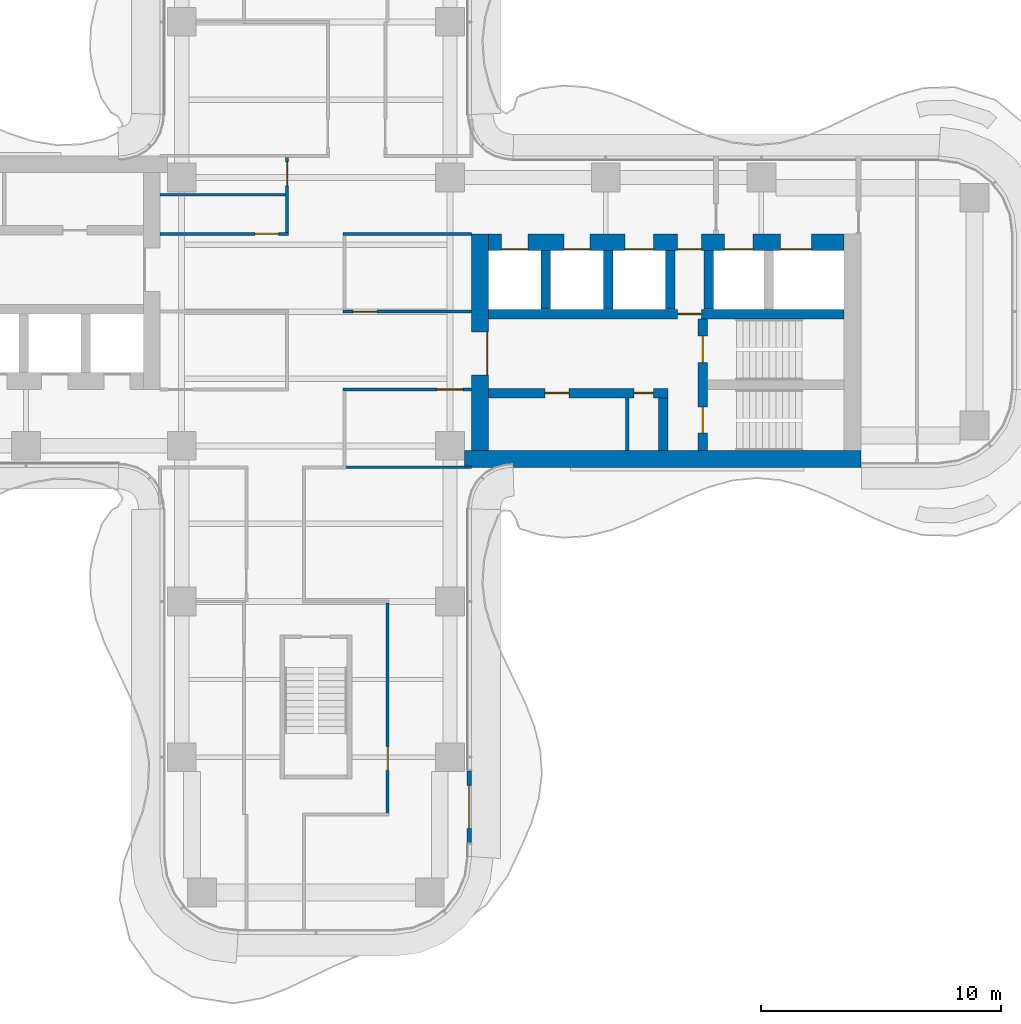
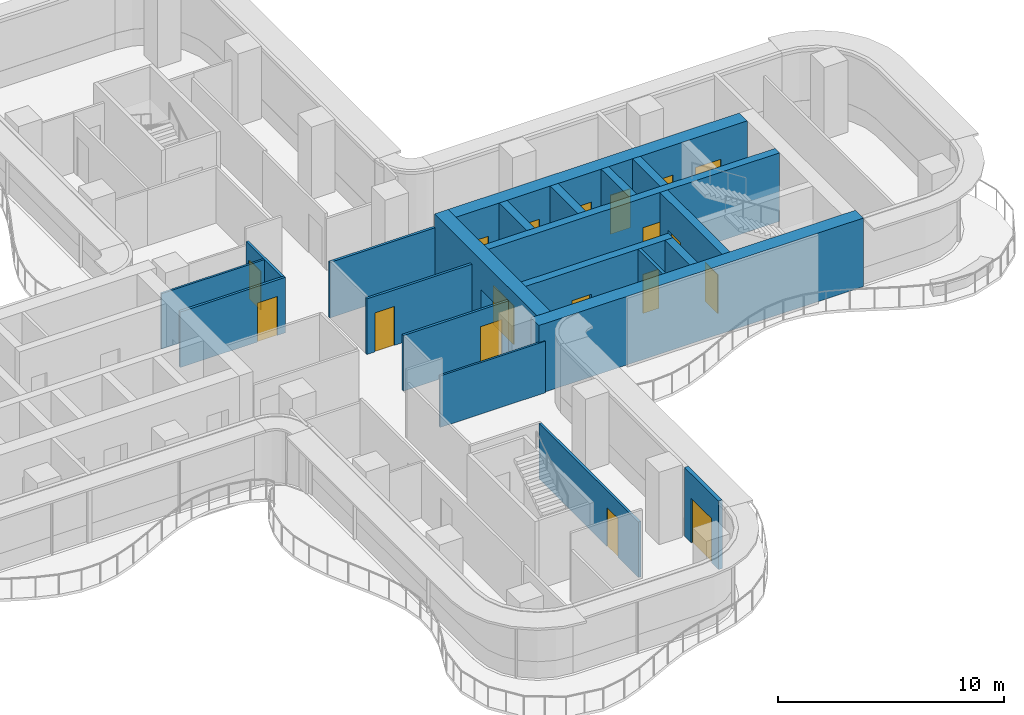
# One storey, part 14 of 18: 21 walls, 18 doors, 18 openings.
"""IFC4 building model written with IfcOpenShell, lengths in metres."""

import ifcopenshell
import ifcopenshell.guid

model = None  # the IFC model being written
_history = None  # IfcOwnerHistory: only IFC2X3 demands one
_inside = {}  # id of a spatial element -> (the spatial element, [elements in it])
_under = {}  # id of a project, library or spatial element -> (it, [spatial elements below it])
_declared = {}  # id of a project -> (the project, [libraries it declares])
_typed = {}  # id of a type object -> (the type object, [elements of that type])
_made_of = {}  # id of a material, layer set ... -> (it, [elements and type objects made of it])


def new_model(schema):
    """Start an empty IFC model of exactly this schema.

    Asked for "IFC4X3", IfcOpenShell would pick the latest addendum, in which some entities
    have other attributes; the version numbers below select the first issue.
    IFC2X3 requires an IfcOwnerHistory on every rooted entity: one is made here for all.
    """
    global model, _history
    if schema == "IFC4X3":
        model = ifcopenshell.file(schema_version=(4, 3, 0, 0))
    else:
        model = ifcopenshell.file(schema=schema)
    _inside.clear()
    _under.clear()
    _declared.clear()
    _typed.clear()
    _made_of.clear()
    _history = None
    if model.schema == "IFC2X3":
        org = make("IfcOrganization", Name="unknown")
        user = make(
            "IfcPersonAndOrganization",
            ThePerson=make("IfcPerson", FamilyName="unknown"),
            TheOrganization=org,
        )
        app = make(
            "IfcApplication",
            ApplicationDeveloper=org,
            Version="unknown",
            ApplicationFullName="unknown",
            ApplicationIdentifier="unknown",
        )
        _history = make(
            "IfcOwnerHistory",
            OwningUser=user,
            OwningApplication=app,
            ChangeAction="ADDED",
            CreationDate=0,
        )
    return model


def make(cls, **values):
    """One entity of the class cls with the attributes given. An attribute that is None is left unset."""
    return model.create_entity(
        cls, **{name: value for name, value in values.items() if value is not None}
    )


def rooted(cls, **values):
    """An entity with a GlobalId (a new one), such as an element, a storey or a relation."""
    return make(cls, GlobalId=ifcopenshell.guid.new(), OwnerHistory=_history, **values)


def si_unit(unit_type, name, prefix=None):
    """IfcSIUnit, for example si_unit("LENGTHUNIT", "METRE", prefix="MILLI")."""
    return make("IfcSIUnit", UnitType=unit_type, Prefix=prefix, Name=name)


def assignment(units):
    """IfcUnitAssignment: the units of a project."""
    return None if units is None else make("IfcUnitAssignment", Units=units)


def point(xyz):
    """IfcCartesianPoint."""
    return None if xyz is None else make("IfcCartesianPoint", Coordinates=xyz)


def direction(xyz):
    """IfcDirection."""
    return None if xyz is None else make("IfcDirection", DirectionRatios=xyz)


def frame(location, z_axis=None, x_axis=None):
    """IfcAxis2Placement3D, a coordinate frame: its origin and axes. An axis left out is left unset."""
    return make(
        "IfcAxis2Placement3D",
        Location=point(location),
        Axis=direction(z_axis),
        RefDirection=direction(x_axis),
    )


def frame_2d(location, x_axis=None):
    """IfcAxis2Placement2D, a coordinate frame in the plane: its origin and x axis."""
    return make(
        "IfcAxis2Placement2D", Location=point(location), RefDirection=direction(x_axis)
    )


def origin():
    """The frame at (0, 0, 0) with its axes left unset."""
    return frame((0.0, 0.0, 0.0))


def place(relative_to, where):
    """IfcLocalPlacement: puts the frame where relative to a parent placement (None: the world)."""
    return make(
        "IfcLocalPlacement", PlacementRelTo=relative_to, RelativePlacement=where
    )


def context(
    kind, dimensions, precision=None, world=None, true_north=None, identifier=None
):
    """IfcGeometricRepresentationContext, for example the 3D "Model" context."""
    return make(
        "IfcGeometricRepresentationContext",
        ContextIdentifier=identifier,
        ContextType=kind,
        CoordinateSpaceDimension=dimensions,
        Precision=precision,
        WorldCoordinateSystem=world,
        TrueNorth=true_north,
    )


def subcontext(parent, identifier, kind, view, scale=None):
    """IfcGeometricRepresentationSubContext, for example "Body" below "Model"."""
    return make(
        "IfcGeometricRepresentationSubContext",
        ContextIdentifier=identifier,
        ContextType=kind,
        ParentContext=parent,
        TargetScale=scale,
        TargetView=view,
    )


def project(units=None, contexts=None):
    """IfcProject with its units and contexts."""
    return rooted(
        "IfcProject",
        Name="project",
        RepresentationContexts=contexts,
        UnitsInContext=assignment(units),
    )


def spatial(cls, under=None, at=None, **own):
    """A site, building, storey or space (cls), placed at a placement, below another one or the project."""
    s = rooted(cls, ObjectPlacement=at, **own)
    if under is not None:
        _under.setdefault(under.id(), (under, []))[1].append(s)
    return s


def profile(cls, at=None, kind="AREA", **sizes):
    """A parametric profile (cls). Its sizes go by their IFC names, for example OverallWidth=200.0."""
    return make(cls, ProfileType=kind, Position=at, **sizes)


def rectangle(**sizes):
    """IfcRectangleProfileDef."""
    return profile("IfcRectangleProfileDef", **sizes)


def extrude(swept, where, along, depth):
    """IfcExtrudedAreaSolid: the profile swept, set in the frame where, extruded along a direction by depth."""
    return make(
        "IfcExtrudedAreaSolid",
        SweptArea=swept,
        Position=where,
        ExtrudedDirection=direction(along),
        Depth=depth,
    )


def shape(context_of_items, identifier, shape_type, items):
    """IfcShapeRepresentation: the items that make up one representation, for example the "Body"."""
    return make(
        "IfcShapeRepresentation",
        ContextOfItems=context_of_items,
        RepresentationIdentifier=identifier,
        RepresentationType=shape_type,
        Items=items,
    )


def source(mapping_origin, context_of_items, identifier, shape_type, items):
    """IfcRepresentationMap: a shape defined once, which mapped items show again and again."""
    return make(
        "IfcRepresentationMap",
        MappingOrigin=mapping_origin,
        MappedRepresentation=shape(context_of_items, identifier, shape_type, items),
    )


def transform(
    local_origin,
    x_axis=None,
    y_axis=None,
    z_axis=None,
    scale=None,
    scale2=None,
    scale3=None,
    uniform=True,
):
    """IfcCartesianTransformationOperator3D, or its non-uniform kind. x_axis, y_axis, z_axis: its Axis1, 2, 3."""
    if uniform:
        return make(
            "IfcCartesianTransformationOperator3D",
            Axis1=direction(x_axis),
            Axis2=direction(y_axis),
            LocalOrigin=point(local_origin),
            Scale=scale,
            Axis3=direction(z_axis),
        )
    return make(
        "IfcCartesianTransformationOperator3DnonUniform",
        Axis1=direction(x_axis),
        Axis2=direction(y_axis),
        LocalOrigin=point(local_origin),
        Scale=scale,
        Axis3=direction(z_axis),
        Scale2=scale2,
        Scale3=scale3,
    )


def mapped(mapping_source, mapping_target):
    """IfcMappedItem: shows the shape of a source again, moved by a transform."""
    return make(
        "IfcMappedItem", MappingSource=mapping_source, MappingTarget=mapping_target
    )


def material(Name=None, Category=None):
    """IfcMaterial."""
    return make("IfcMaterial", Name=Name, Category=Category)


def layer(
    of_material, thickness, ventilated=None, Name=None, Category=None, Priority=None
):
    """IfcMaterialLayer: one layer of a wall or slab, of a material (None: an air gap)."""
    return make(
        "IfcMaterialLayer",
        Material=of_material,
        LayerThickness=thickness,
        IsVentilated=ventilated,
        Name=Name,
        Category=Category,
        Priority=Priority,
    )


def layer_set(layers, Name=None):
    """IfcMaterialLayerSet."""
    return make("IfcMaterialLayerSet", MaterialLayers=layers, LayerSetName=Name)


def made_of(thing, what):
    """Note that an element or type object is made of a material, layer set ...; save() writes the relation."""
    if what is not None:
        _made_of.setdefault(what.id(), (what, []))[1].append(thing)
    return thing


def type_object(cls, material=None, **own):
    """A type object (cls), such as IfcWallType, which elements share."""
    return made_of(rooted(cls, **own), material)


def element(
    cls,
    number,
    at=None,
    inside=None,
    cuts=None,
    type_object=None,
    material=None,
    context=None,
    identifier="Body",
    shape_type=None,
    held_by="IfcProductDefinitionShape",
    body=None,
    shapes=None,
    **own,
):
    """One element of the class cls, such as IfcWall. Its Tag is "e" and its number.

    at: its placement. inside: the storey or other place that contains it. cuts: it is an
    opening in that element (IfcRelVoidsElement). A single representation is given by context,
    identifier, shape_type and body (its items); several are given by shapes. held_by: the class
    of the entity that holds the representations. save() writes the other relations.
    """
    e = rooted(cls, Tag="e%d" % number, ObjectPlacement=at, **own)
    if body is not None:
        shapes = [shape(context, identifier, shape_type, body)]
    if shapes is not None:
        e.Representation = make(held_by, Representations=shapes)
    if inside is not None:
        _inside.setdefault(inside.id(), (inside, []))[1].append(e)
    if cuts is not None:
        rooted(
            "IfcRelVoidsElement", RelatingBuildingElement=cuts, RelatedOpeningElement=e
        )
    if type_object is not None:
        _typed.setdefault(type_object.id(), (type_object, []))[1].append(e)
    return made_of(e, material)


def fill(opening, filler):
    """IfcRelFillsElement: the door or window that sits in an opening."""
    return rooted(
        "IfcRelFillsElement",
        RelatingOpeningElement=opening,
        RelatedBuildingElement=filler,
    )


def aggregate(whole, parts):
    """IfcRelAggregates: a whole, such as a stair, and the parts it consists of."""
    return rooted("IfcRelAggregates", RelatingObject=whole, RelatedObjects=parts)


def save(model, path):
    """Write the relations noted so far, then the file.

    IfcRelAggregates (storeys below a building ...), IfcRelContainedInSpatialStructure (elements
    in a storey), IfcRelDefinesByType, IfcRelAssociatesMaterial and IfcRelDeclares: one each for
    every whole, place, type object, material and project.
    """
    for whole, parts in _under.values():
        aggregate(whole, parts)
    for where, things in _inside.values():
        rooted(
            "IfcRelContainedInSpatialStructure",
            RelatedElements=things,
            RelatingStructure=where,
        )
    for kind, things in _typed.values():
        rooted("IfcRelDefinesByType", RelatedObjects=things, RelatingType=kind)
    for what, things in _made_of.values():
        rooted("IfcRelAssociatesMaterial", RelatedObjects=things, RelatingMaterial=what)
    for by, libraries in _declared.values():
        rooted("IfcRelDeclares", RelatingContext=by, RelatedDefinitions=libraries)
    model.write(path)


model = new_model("IFC4")

# Units and contexts
model_context = context("Model", 3, precision=1e-05, world=origin(), true_north=direction((0.0, 1.0)))
body_context = subcontext(model_context, "Body", "Model", "MODEL_VIEW")
ifc_project = project(units=[si_unit("LENGTHUNIT", "METRE"), si_unit("AREAUNIT", "SQUARE_METRE"), si_unit("VOLUMEUNIT", "CUBIC_METRE"), si_unit("PLANEANGLEUNIT", "RADIAN"), si_unit("MASSUNIT", "GRAM", prefix="KILO")], contexts=[model_context])

# Site, building, storey
site_placement = place(None, origin())
site = spatial("IfcSite", under=ifc_project, at=site_placement, CompositionType="ELEMENT")
building_placement = place(site_placement, origin())
building = spatial("IfcBuilding", under=site, at=building_placement, Name="Trellis Farm Tower", CompositionType="ELEMENT")
storey_placement = place(building_placement, frame((0.0, 0.0, 169.800048828125)))
storey = spatial("IfcBuildingStorey", under=building, at=storey_placement, Name="L36", CompositionType="ELEMENT", Elevation=169.800048828125)

# Wall
ifc_material_1 = material(Name="Plasterboard on steel studs", Category="steel")
ifc_layer_1 = layer(ifc_material_1, 0.10009765625)
ifc_layer_set_1 = layer_set([ifc_layer_1], Name="PARTITION 100 STUD EI 30")
wall_type_1 = type_object("IfcWallType", Name="PARTITION 100 STUD EI 30", PredefinedType="PARTITIONING", material=ifc_layer_set_1)
wall_1_placement = place(storey_placement, frame((-6.5, 4.875, 0.0), z_axis=(0.0, 0.0, 1.0), x_axis=(1.0, 0.0, 0.0)))
element("IfcWall", 1, at=wall_1_placement, inside=storey, type_object=wall_type_1, Name="Partition PW2", PredefinedType="PARTITIONING", context=body_context, shape_type="SweptSolid", body=[
    extrude(rectangle(XDim=5.237548828125, YDim=0.10009765625, at=frame_2d((2.61865234375, 0.0))), origin(), (0.0, 0.0, 1.0), 2.996337890625),
])

# Wall, opening, door
ifc_material_2 = material(Name="Concrete C70/85", Category="concrete")
ifc_layer_2 = layer(ifc_material_2, 0.699951171875)
ifc_layer_set_2 = layer_set([ifc_layer_2], Name="CORE OUTER WALL 700 CONCRETE C70/85")
wall_type_2 = type_object("IfcWallType", Name="CORE OUTER WALL 700 CONCRETE C70/85", PredefinedType="SHEAR", material=ifc_layer_set_2)
shared_shape_1 = source(origin(), body_context, "Body", "SweptSolid", [
    extrude(rectangle(XDim=9.050048828125, YDim=0.699951171875, at=frame_2d((4.52490234375, 0.0))), origin(), (0.0, 0.0, 1.0), 3.699951171875),
])
wall_2_placement = place(storey_placement, frame((6.85009765625, -5.800048828125, 0.0), z_axis=(0.0, 0.0, 1.0), x_axis=(0.0, 1.0, 0.0)))
wall_2 = element("IfcWall", 2, at=wall_2_placement, inside=storey, type_object=wall_type_2, Name="Core wall", PredefinedType="SHEAR", context=body_context, shape_type="MappedRepresentation", body=[
    mapped(shared_shape_1, transform((0.0, 0.0, 0.0))),
])
shared_shape_2 = source(origin(), body_context, "Body", "SweptSolid", [
    extrude(rectangle(XDim=1.800048828125, YDim=2.10009765625, at=frame_2d((0.89990234375, 1.050048828125))), frame((0.0, 0.360107421875, 0.0), z_axis=(0.0, -1.0, 0.0), x_axis=(1.0, 0.0, 0.0)), (0.0, 0.0, 1.0), 0.72021484375),
])
opening_1_placement = place(wall_2_placement, frame((3.14990234375, 0.0, 0.0)))
opening_1 = element("IfcOpeningElement", 3, at=opening_1_placement, cuts=wall_2, Name="Opening DC1", PredefinedType="OPENING", context=body_context, shape_type="MappedRepresentation", body=[
    mapped(shared_shape_2, transform((0.0, 0.0, 0.0))),
])
ifc_material_3 = material(Name="Steel", Category="steel")
door_type_1 = type_object("IfcDoorType", Name="CORE FIRE DOOR DOUBLE 1800 X 2100", OperationType="DOUBLE_DOOR_SINGLE_SWING", PredefinedType="DOOR", material=ifc_material_3)
shared_shape_3 = source(origin(), body_context, "Body", "SweptSolid", [
    extrude(rectangle(XDim=1.800048828125, YDim=2.10009765625, at=frame_2d((0.89990234375, 1.050048828125))), frame((0.0, -0.27490234375, 0.0), z_axis=(0.0, -1.0, 0.0), x_axis=(1.0, 0.0, 0.0)), (0.0, 0.0, 1.0), 0.050048828125),
])
door_1_placement = place(opening_1_placement, origin())
door_1 = element("IfcDoor", 4, at=door_1_placement, inside=storey, type_object=door_type_1, Name="Core door", OperationType="DOUBLE_DOOR_SINGLE_SWING", OverallHeight=2.10009765625, OverallWidth=1.800048828125, PredefinedType="DOOR", context=body_context, shape_type="MappedRepresentation", body=[
    mapped(shared_shape_3, transform((0.0, 0.0, 0.0))),
])
fill(opening_1, door_1)

# Walls
ifc_layer_3 = layer(ifc_material_2, 0.39990234375)
ifc_layer_set_3 = layer_set([ifc_layer_3], Name="CORE INNER WALL 400 CONCRETE C70/85")
wall_type_3 = type_object("IfcWallType", Name="CORE INNER WALL 400 CONCRETE C70/85", PredefinedType="SHEAR", material=ifc_layer_set_3)
shared_shape_4 = source(origin(), body_context, "Body", "SweptSolid", [
    extrude(rectangle(XDim=2.449951171875, YDim=0.39990234375, at=frame_2d((1.22509765625, 0.0))), origin(), (0.0, 0.0, 1.0), 3.699951171875),
])
for number, where, z_axis, x_axis, name in (
    (5, (9.60009765625, 0.10009765625, 0.0), (0.0, 0.0, 1.0), (0.0, 1.0, 0.0), "Core wall"),
    (6, (12.199951171875, 0.10009765625, 0.0), (0.0, 0.0, 1.0), (0.0, 1.0, 0.0), "Core wall"),
    (7, (14.800048828125, 0.10009765625, 0.0), (0.0, 0.0, 1.0), (0.0, 1.0, 0.0), "Core wall"),
    (8, (16.39990234375, 0.10009765625, 0.0), (0.0, 0.0, 1.0), (0.0, 1.0, 0.0), "Core wall"),
):
    element("IfcWall", number, at=place(storey_placement, frame(where, z_axis=z_axis, x_axis=x_axis)), inside=storey, type_object=wall_type_3, Name=name, PredefinedType="SHEAR", context=body_context, shape_type="MappedRepresentation", body=[
        mapped(shared_shape_4, transform((0.0, 0.0, 0.0))),
    ])
shared_shape_5 = source(origin(), body_context, "Body", "SweptSolid", [
    extrude(rectangle(XDim=16.550048828125, YDim=0.699951171875, at=frame_2d((8.27490234375, 0.0))), origin(), (0.0, 0.0, 1.0), 3.699951171875),
])
wall_3_placement = place(storey_placement, frame((6.199951171875, -6.14990234375, 0.0), z_axis=(0.0, 0.0, 1.0), x_axis=(1.0, 0.0, 0.0)))
element("IfcWall", 9, at=wall_3_placement, inside=storey, type_object=wall_type_2, Name="Core wall", PredefinedType="SHEAR", context=body_context, shape_type="MappedRepresentation", body=[
    mapped(shared_shape_5, transform((0.0, 0.0, 0.0))),
])

# Wall, openings, doors
shared_shape_6 = source(origin(), body_context, "Body", "SweptSolid", [
    extrude(rectangle(XDim=14.85009765625, YDim=0.699951171875, at=frame_2d((7.425048828125, 0.0))), origin(), (0.0, 0.0, 1.0), 3.699951171875),
])
wall_4_placement = place(storey_placement, frame((7.199951171875, 2.89990234375, 0.0), z_axis=(0.0, 0.0, 1.0), x_axis=(1.0, 0.0, 0.0)))
wall_4 = element("IfcWall", 10, at=wall_4_placement, inside=storey, type_object=wall_type_2, Name="Core wall", PredefinedType="SHEAR", context=body_context, shape_type="MappedRepresentation", body=[
    mapped(shared_shape_6, transform((0.0, 0.0, 0.0))),
])
shared_shape_7 = source(origin(), body_context, "Body", "SweptSolid", [
    extrude(rectangle(XDim=1.10009765625, YDim=2.10009765625, at=frame_2d((0.550048828125, 1.050048828125))), frame((0.0, 0.360107421875, 0.0), z_axis=(0.0, -1.0, 0.0), x_axis=(1.0, 0.0, 0.0)), (0.0, 0.0, 1.0), 0.72021484375),
])
opening_2_placement = place(wall_4_placement, frame((0.550048828125, 0.0, 0.0)))
opening_2 = element("IfcOpeningElement", 11, at=opening_2_placement, cuts=wall_4, Name="Opening LD4", PredefinedType="OPENING", context=body_context, shape_type="MappedRepresentation", body=[
    mapped(shared_shape_7, transform((0.0, 0.0, 0.0))),
])
opening_3_placement = place(wall_4_placement, frame((3.14990234375, 0.0, 0.0)))
opening_3 = element("IfcOpeningElement", 12, at=opening_3_placement, cuts=wall_4, Name="Opening LD5", PredefinedType="OPENING", context=body_context, shape_type="MappedRepresentation", body=[
    mapped(shared_shape_7, transform((0.0, 0.0, 0.0))),
])
shared_shape_8 = source(origin(), body_context, "Body", "SweptSolid", [
    extrude(rectangle(XDim=1.199951171875, YDim=2.10009765625, at=frame_2d((0.60009765625, 1.050048828125))), frame((0.0, 0.360107421875, 0.0), z_axis=(0.0, -1.0, 0.0), x_axis=(1.0, 0.0, 0.0)), (0.0, 0.0, 1.0), 0.72021484375),
])
opening_4_placement = place(wall_4_placement, frame((5.699951171875, 0.0, 0.0)))
opening_4 = element("IfcOpeningElement", 13, at=opening_4_placement, cuts=wall_4, Name="Opening LD6", PredefinedType="OPENING", context=body_context, shape_type="MappedRepresentation", body=[
    mapped(shared_shape_8, transform((0.0, 0.0, 0.0))),
])
shared_shape_9 = source(origin(), body_context, "Body", "SweptSolid", [
    extrude(rectangle(XDim=1.300048828125, YDim=2.10009765625, at=frame_2d((0.64990234375, 1.050048828125))), frame((0.0, 0.360107421875, 0.0), z_axis=(0.0, -1.0, 0.0), x_axis=(1.0, 0.0, 0.0)), (0.0, 0.0, 1.0), 0.72021484375),
])
opening_5_placement = place(wall_4_placement, frame((12.199951171875, 0.0, 0.0)))
opening_5 = element("IfcOpeningElement", 14, at=opening_5_placement, cuts=wall_4, Name="Opening LD7", PredefinedType="OPENING", context=body_context, shape_type="MappedRepresentation", body=[
    mapped(shared_shape_9, transform((0.0, 0.0, 0.0))),
])
opening_6_placement = place(wall_4_placement, frame((9.85009765625, 0.0, 0.0)))
opening_6 = element("IfcOpeningElement", 15, at=opening_6_placement, cuts=wall_4, Name="Opening LD8", PredefinedType="OPENING", context=body_context, shape_type="MappedRepresentation", body=[
    mapped(shared_shape_8, transform((0.0, 0.0, 0.0))),
])
shared_shape_10 = source(origin(), body_context, "Body", "SweptSolid", [
    extrude(rectangle(XDim=1.0, YDim=2.10009765625, at=frame_2d((0.5, 1.050048828125))), frame((0.0, 0.360107421875, 0.0), z_axis=(0.0, -1.0, 0.0), x_axis=(1.0, 0.0, 0.0)), (0.0, 0.0, 1.0), 0.72021484375),
])
opening_7_placement = place(wall_4_placement, frame((7.89990234375, 0.0, 0.0)))
opening_7 = element("IfcOpeningElement", 16, at=opening_7_placement, cuts=wall_4, Name="Opening DC6", PredefinedType="OPENING", context=body_context, shape_type="MappedRepresentation", body=[
    mapped(shared_shape_10, transform((0.0, 0.0, 0.0))),
])
door_type_2 = type_object("IfcDoorType", Name="CORE FIRE DOOR 1000 X 2100", OperationType="NOTDEFINED", PredefinedType="DOOR", material=ifc_material_3)
shared_shape_11 = source(origin(), body_context, "Body", "SweptSolid", [
    extrude(rectangle(XDim=1.0, YDim=2.10009765625, at=frame_2d((0.5, 1.050048828125))), frame((0.0, -0.27490234375, 0.0), z_axis=(0.0, -1.0, 0.0), x_axis=(1.0, 0.0, 0.0)), (0.0, 0.0, 1.0), 0.050048828125),
])
door_2_placement = place(opening_7_placement, origin())
door_2 = element("IfcDoor", 17, at=door_2_placement, inside=storey, type_object=door_type_2, Name="Core door", OperationType="SINGLE_SWING_LEFT", OverallHeight=2.10009765625, OverallWidth=1.0, PredefinedType="DOOR", context=body_context, shape_type="MappedRepresentation", body=[
    mapped(shared_shape_11, transform((0.0, 0.0, 0.0))),
])
fill(opening_7, door_2)
ifc_material_4 = material(Name="Stainless steel", Category="steel")
door_type_3 = type_object("IfcDoorType", Name="LIFT LANDING DOOR 1300 X 2100", OperationType="DOUBLE_DOOR_SLIDING", PredefinedType="DOOR", material=ifc_material_4)
shared_shape_12 = source(origin(), body_context, "Body", "SweptSolid", [
    extrude(rectangle(XDim=1.300048828125, YDim=2.10009765625, at=frame_2d((0.64990234375, 1.050048828125))), frame((0.0, -0.27490234375, 0.0), z_axis=(0.0, -1.0, 0.0), x_axis=(1.0, 0.0, 0.0)), (0.0, 0.0, 1.0), 0.050048828125),
])
door_3_placement = place(opening_5_placement, origin())
door_3 = element("IfcDoor", 18, at=door_3_placement, inside=storey, type_object=door_type_3, Name="Lift landing door", OperationType="DOUBLE_DOOR_SLIDING", OverallHeight=2.10009765625, OverallWidth=1.300048828125, PredefinedType="DOOR", context=body_context, shape_type="MappedRepresentation", body=[
    mapped(shared_shape_12, transform((0.0, 0.0, 0.0))),
])
fill(opening_5, door_3)
door_type_4 = type_object("IfcDoorType", Name="LIFT LANDING DOOR 1200 X 2100", OperationType="DOUBLE_DOOR_SLIDING", PredefinedType="DOOR", material=ifc_material_4)
shared_shape_13 = source(origin(), body_context, "Body", "SweptSolid", [
    extrude(rectangle(XDim=1.199951171875, YDim=2.10009765625, at=frame_2d((0.60009765625, 1.050048828125))), frame((0.0, -0.27490234375, 0.0), z_axis=(0.0, -1.0, 0.0), x_axis=(1.0, 0.0, 0.0)), (0.0, 0.0, 1.0), 0.050048828125),
])
door_4_placement = place(opening_4_placement, origin())
door_4 = element("IfcDoor", 19, at=door_4_placement, inside=storey, type_object=door_type_4, Name="Lift landing door", OperationType="DOUBLE_DOOR_SLIDING", OverallHeight=2.10009765625, OverallWidth=1.199951171875, PredefinedType="DOOR", context=body_context, shape_type="MappedRepresentation", body=[
    mapped(shared_shape_13, transform((0.0, 0.0, 0.0))),
])
fill(opening_4, door_4)
door_5_placement = place(opening_6_placement, origin())
door_5 = element("IfcDoor", 20, at=door_5_placement, inside=storey, type_object=door_type_4, Name="Lift landing door", OperationType="DOUBLE_DOOR_SLIDING", OverallHeight=2.10009765625, OverallWidth=1.199951171875, PredefinedType="DOOR", context=body_context, shape_type="MappedRepresentation", body=[
    mapped(shared_shape_13, transform((0.0, 0.0, 0.0))),
])
fill(opening_6, door_5)
door_type_5 = type_object("IfcDoorType", Name="LIFT LANDING DOOR 1100 X 2100", OperationType="DOUBLE_DOOR_SLIDING", PredefinedType="DOOR", material=ifc_material_4)
shared_shape_14 = source(origin(), body_context, "Body", "SweptSolid", [
    extrude(rectangle(XDim=1.10009765625, YDim=2.10009765625, at=frame_2d((0.550048828125, 1.050048828125))), frame((0.0, -0.27490234375, 0.0), z_axis=(0.0, -1.0, 0.0), x_axis=(1.0, 0.0, 0.0)), (0.0, 0.0, 1.0), 0.050048828125),
])
door_6_placement = place(opening_2_placement, origin())
door_6 = element("IfcDoor", 21, at=door_6_placement, inside=storey, type_object=door_type_5, Name="Lift landing door", OperationType="DOUBLE_DOOR_SLIDING", OverallHeight=2.10009765625, OverallWidth=1.10009765625, PredefinedType="DOOR", context=body_context, shape_type="MappedRepresentation", body=[
    mapped(shared_shape_14, transform((0.0, 0.0, 0.0))),
])
fill(opening_2, door_6)
door_7_placement = place(opening_3_placement, origin())
door_7 = element("IfcDoor", 22, at=door_7_placement, inside=storey, type_object=door_type_5, Name="Lift landing door", OperationType="DOUBLE_DOOR_SLIDING", OverallHeight=2.10009765625, OverallWidth=1.10009765625, PredefinedType="DOOR", context=body_context, shape_type="MappedRepresentation", body=[
    mapped(shared_shape_14, transform((0.0, 0.0, 0.0))),
])
fill(opening_3, door_7)

shared_shape_15 = source(origin(), body_context, "Body", "SweptSolid", [
    extrude(rectangle(XDim=7.5, YDim=0.39990234375, at=frame_2d((3.75, 0.0))), origin(), (0.0, 0.0, 1.0), 3.699951171875),
])
wall_5_placement = place(storey_placement, frame((7.199951171875, -3.39990234375, 0.0), z_axis=(0.0, 0.0, 1.0), x_axis=(1.0, 0.0, 0.0)))
wall_5 = element("IfcWall", 23, at=wall_5_placement, inside=storey, type_object=wall_type_3, Name="Core wall", PredefinedType="SHEAR", context=body_context, shape_type="MappedRepresentation", body=[
    mapped(shared_shape_15, transform((0.0, 0.0, 0.0))),
])
shared_shape_16 = source(origin(), body_context, "Body", "SweptSolid", [
    extrude(rectangle(XDim=1.0, YDim=2.10009765625, at=frame_2d((0.5, 1.050048828125))), frame((0.0, 0.2099609375, 0.0), z_axis=(0.0, -1.0, 0.0), x_axis=(1.0, 0.0, 0.0)), (0.0, 0.0, 1.0), 0.419921875),
])
opening_8_placement = place(wall_5_placement, frame((2.362548828125, 0.0, 0.0)))
opening_8 = element("IfcOpeningElement", 24, at=opening_8_placement, cuts=wall_5, Name="Opening DC55", PredefinedType="OPENING", context=body_context, shape_type="MappedRepresentation", body=[
    mapped(shared_shape_16, transform((0.0, 0.0, 0.0))),
])
shared_shape_17 = source(origin(), body_context, "Body", "SweptSolid", [
    extrude(rectangle(XDim=0.800048828125, YDim=2.10009765625, at=frame_2d((0.39990234375, 1.050048828125))), frame((0.0, 0.2099609375, 0.0), z_axis=(0.0, -1.0, 0.0), x_axis=(1.0, 0.0, 0.0)), (0.0, 0.0, 1.0), 0.419921875),
])
opening_9_placement = place(wall_5_placement, frame((6.08740234375, 0.0, 0.0)))
opening_9 = element("IfcOpeningElement", 25, at=opening_9_placement, cuts=wall_5, Name="Opening DC58", PredefinedType="OPENING", context=body_context, shape_type="MappedRepresentation", body=[
    mapped(shared_shape_17, transform((0.0, 0.0, 0.0))),
])
shared_shape_18 = source(origin(), body_context, "Body", "SweptSolid", [
    extrude(rectangle(XDim=1.0, YDim=2.10009765625, at=frame_2d((0.5, 1.050048828125))), frame((0.0, 0.02490234375, 0.0), z_axis=(0.0, -1.0, 0.0), x_axis=(1.0, 0.0, 0.0)), (0.0, 0.0, 1.0), 0.050048828125),
])
door_8_placement = place(opening_8_placement, origin())
door_8 = element("IfcDoor", 26, at=door_8_placement, inside=storey, type_object=door_type_2, Name="Core door", OperationType="SINGLE_SWING_LEFT", OverallHeight=2.10009765625, OverallWidth=1.0, PredefinedType="DOOR", context=body_context, shape_type="MappedRepresentation", body=[
    mapped(shared_shape_18, transform((0.0, 0.0, 0.0))),
])
fill(opening_8, door_8)
door_type_6 = type_object("IfcDoorType", Name="CORE FIRE DOOR 800 X 2100", OperationType="NOTDEFINED", PredefinedType="DOOR", material=ifc_material_3)
shared_shape_19 = source(origin(), body_context, "Body", "SweptSolid", [
    extrude(rectangle(XDim=0.800048828125, YDim=2.10009765625, at=frame_2d((0.39990234375, 1.050048828125))), frame((0.0, 0.02490234375, 0.0), z_axis=(0.0, -1.0, 0.0), x_axis=(1.0, 0.0, 0.0)), (0.0, 0.0, 1.0), 0.050048828125),
])
door_9_placement = place(opening_9_placement, origin())
door_9 = element("IfcDoor", 27, at=door_9_placement, inside=storey, type_object=door_type_6, Name="Core door", OperationType="SINGLE_SWING_RIGHT", OverallHeight=2.10009765625, OverallWidth=0.800048828125, PredefinedType="DOOR", context=body_context, shape_type="MappedRepresentation", body=[
    mapped(shared_shape_19, transform((0.0, 0.0, 0.0))),
])
fill(opening_9, door_9)

# Wall, opening, door
shared_shape_20 = source(origin(), body_context, "Body", "SweptSolid", [
    extrude(rectangle(XDim=14.85009765625, YDim=0.39990234375, at=frame_2d((7.425048828125, 0.0))), origin(), (0.0, 0.0, 1.0), 3.699951171875),
])
wall_6_placement = place(storey_placement, frame((7.199951171875, -0.10009765625, 0.0), z_axis=(0.0, 0.0, 1.0), x_axis=(1.0, 0.0, 0.0)))
wall_6 = element("IfcWall", 28, at=wall_6_placement, inside=storey, type_object=wall_type_3, Name="Core wall", PredefinedType="SHEAR", context=body_context, shape_type="MappedRepresentation", body=[
    mapped(shared_shape_20, transform((0.0, 0.0, 0.0))),
])
opening_10_placement = place(wall_6_placement, frame((7.89990234375, 0.0, 0.0)))
opening_10 = element("IfcOpeningElement", 29, at=opening_10_placement, cuts=wall_6, Name="Opening DC5", PredefinedType="OPENING", context=body_context, shape_type="MappedRepresentation", body=[
    mapped(shared_shape_16, transform((0.0, 0.0, 0.0))),
])
door_10_placement = place(opening_10_placement, origin())
door_10 = element("IfcDoor", 30, at=door_10_placement, inside=storey, type_object=door_type_2, Name="Core door", OperationType="SINGLE_SWING_RIGHT", OverallHeight=2.10009765625, OverallWidth=1.0, PredefinedType="DOOR", context=body_context, shape_type="MappedRepresentation", body=[
    mapped(shared_shape_18, transform((0.0, 0.0, 0.0))),
])
fill(opening_10, door_10)

# Wall, openings, doors
shared_shape_21 = source(origin(), body_context, "Body", "SweptSolid", [
    extrude(rectangle(XDim=5.5, YDim=0.39990234375, at=frame_2d((2.75, 0.0))), origin(), (0.0, 0.0, 1.0), 3.699951171875),
])
wall_7_placement = place(storey_placement, frame((16.14990234375, -5.800048828125, 0.0), z_axis=(0.0, 0.0, 1.0), x_axis=(0.0, 1.0, 0.0)))
wall_7 = element("IfcWall", 31, at=wall_7_placement, inside=storey, type_object=wall_type_3, Name="Core wall", PredefinedType="SHEAR", context=body_context, shape_type="MappedRepresentation", body=[
    mapped(shared_shape_21, transform((0.0, 0.0, 0.0))),
])
shared_shape_22 = source(origin(), body_context, "Body", "SweptSolid", [
    extrude(rectangle(XDim=1.10009765625, YDim=2.10009765625, at=frame_2d((0.550048828125, 1.050048828125))), frame((0.0, 0.2099609375, 0.0), z_axis=(0.0, -1.0, 0.0), x_axis=(1.0, 0.0, 0.0)), (0.0, 0.0, 1.0), 0.419921875),
])
opening_11_placement = place(wall_7_placement, frame((0.72509765625, 0.0, 0.0)))
opening_11 = element("IfcOpeningElement", 32, at=opening_11_placement, cuts=wall_7, Name="Opening DC2", PredefinedType="OPENING", context=body_context, shape_type="MappedRepresentation", body=[
    mapped(shared_shape_22, transform((0.0, 0.0, 0.0))),
])
opening_12_placement = place(wall_7_placement, frame((3.675048828125, 0.0, 0.0)))
opening_12 = element("IfcOpeningElement", 33, at=opening_12_placement, cuts=wall_7, Name="Opening DC3", PredefinedType="OPENING", context=body_context, shape_type="MappedRepresentation", body=[
    mapped(shared_shape_22, transform((0.0, 0.0, 0.0))),
])
door_type_7 = type_object("IfcDoorType", Name="CORE FIRE DOOR 1100 X 2100", OperationType="NOTDEFINED", PredefinedType="DOOR", material=ifc_material_3)
shared_shape_23 = source(origin(), body_context, "Body", "SweptSolid", [
    extrude(rectangle(XDim=1.10009765625, YDim=2.10009765625, at=frame_2d((0.550048828125, 1.050048828125))), frame((0.0, 0.02490234375, 0.0), z_axis=(0.0, -1.0, 0.0), x_axis=(1.0, 0.0, 0.0)), (0.0, 0.0, 1.0), 0.050048828125),
])
door_11_placement = place(opening_11_placement, origin())
door_11 = element("IfcDoor", 34, at=door_11_placement, inside=storey, type_object=door_type_7, Name="Core door", OperationType="SINGLE_SWING_RIGHT", OverallHeight=2.10009765625, OverallWidth=1.10009765625, PredefinedType="DOOR", context=body_context, shape_type="MappedRepresentation", body=[
    mapped(shared_shape_23, transform((0.0, 0.0, 0.0))),
])
fill(opening_11, door_11)
door_12_placement = place(opening_12_placement, origin())
door_12 = element("IfcDoor", 35, at=door_12_placement, inside=storey, type_object=door_type_7, Name="Core door", OperationType="SINGLE_SWING_LEFT", OverallHeight=2.10009765625, OverallWidth=1.10009765625, PredefinedType="DOOR", context=body_context, shape_type="MappedRepresentation", body=[
    mapped(shared_shape_23, transform((0.0, 0.0, 0.0))),
])
fill(opening_12, door_12)

# Walls
shared_shape_24 = source(origin(), body_context, "Body", "SweptSolid", [
    extrude(rectangle(XDim=2.199951171875, YDim=0.39990234375, at=frame_2d((1.10009765625, 0.0))), origin(), (0.0, 0.0, 1.0), 3.699951171875),
])
wall_8_placement = place(storey_placement, frame((14.5, -5.800048828125, 0.0), z_axis=(0.0, 0.0, 1.0), x_axis=(0.0, 1.0, 0.0)))
element("IfcWall", 36, at=wall_8_placement, inside=storey, type_object=wall_type_3, Name="Core wall", PredefinedType="SHEAR", context=body_context, shape_type="MappedRepresentation", body=[
    mapped(shared_shape_24, transform((0.0, 0.0, 0.0))),
])
ifc_material_5 = material(Name="Masonry blockwork", Category="masonry")
ifc_layer_4 = layer(ifc_material_5, 0.14990234375)
ifc_layer_set_4 = layer_set([ifc_layer_4], Name="CORE PARTITION 150 BLOCKWORK")
wall_type_4 = type_object("IfcWallType", Name="CORE PARTITION 150 BLOCKWORK", PredefinedType="PARTITIONING", material=ifc_layer_set_4)
shared_shape_25 = source(origin(), body_context, "Body", "SweptSolid", [
    extrude(rectangle(XDim=2.199951171875, YDim=0.14990234375, at=frame_2d((1.10009765625, 0.0))), origin(), (0.0, 0.0, 1.0), 3.699951171875),
])
wall_9_placement = place(storey_placement, frame((13.0, -5.800048828125, 0.0), z_axis=(0.0, 0.0, 1.0), x_axis=(0.0, 1.0, 0.0)))
element("IfcWall", 37, at=wall_9_placement, inside=storey, type_object=wall_type_4, Name="Core room partition", PredefinedType="PARTITIONING", context=body_context, shape_type="MappedRepresentation", body=[
    mapped(shared_shape_25, transform((0.0, 0.0, 0.0))),
])

# Wall, opening, door
ifc_material_6 = material(Name="Sandstone faced insulated wall", Category="masonry")
ifc_layer_5 = layer(ifc_material_6, 0.199951171875)
ifc_layer_set_5 = layer_set([ifc_layer_5], Name="EXTERNAL INFILL WALL 200")
wall_type_5 = type_object("IfcWallType", Name="EXTERNAL INFILL WALL 200", PredefinedType="SOLIDWALL", material=ifc_layer_set_5)
shared_shape_26 = source(origin(), body_context, "Body", "SweptSolid", [
    extrude(rectangle(XDim=3.0, YDim=0.199951171875, at=frame_2d((1.5, 0.0))), origin(), (0.0, 0.0, 1.0), 3.699951171875),
])
wall_10_placement = place(storey_placement, frame((6.39990234375, -22.175048828125, 0.0), z_axis=(0.0, 0.0, 1.0), x_axis=(0.0, 1.0, 0.0)))
wall_10 = element("IfcWall", 38, at=wall_10_placement, inside=storey, type_object=wall_type_5, Name="EW1 01", PredefinedType="SOLIDWALL", context=body_context, shape_type="MappedRepresentation", body=[
    mapped(shared_shape_26, transform((0.0, 0.0, 0.0))),
])
shared_shape_27 = source(origin(), body_context, "Body", "SweptSolid", [
    extrude(rectangle(XDim=1.800048828125, YDim=2.39990234375, at=frame_2d((0.89990234375, 1.199951171875))), frame((0.0, 0.110107421875, 0.0), z_axis=(0.0, -1.0, 0.0), x_axis=(1.0, 0.0, 0.0)), (0.0, 0.0, 1.0), 0.22021484375),
])
opening_13_placement = place(wall_10_placement, frame((0.60009765625, 0.0, 0.0)))
opening_13 = element("IfcOpeningElement", 39, at=opening_13_placement, cuts=wall_10, Name="Opening ED1", PredefinedType="OPENING", context=body_context, shape_type="MappedRepresentation", body=[
    mapped(shared_shape_27, transform((0.0, 0.0, 0.0))),
])
ifc_material_7 = material(Name="Aluminium framed glazed door", Category="aluminium")
door_type_8 = type_object("IfcDoorType", Name="BALCONY DOOR 1800x2400", OperationType="DOUBLE_DOOR_SINGLE_SWING", PredefinedType="DOOR", material=ifc_material_7)
shared_shape_28 = source(origin(), body_context, "Body", "SweptSolid", [
    extrude(rectangle(XDim=1.800048828125, YDim=2.39990234375, at=frame_2d((0.89990234375, 1.199951171875))), frame((0.0, 0.02490234375, 0.0), z_axis=(0.0, -1.0, 0.0), x_axis=(1.0, 0.0, 0.0)), (0.0, 0.0, 1.0), 0.050048828125),
])
door_13_placement = place(opening_13_placement, origin())
door_13 = element("IfcDoor", 40, at=door_13_placement, inside=storey, type_object=door_type_8, Name="Balcony door", OperationType="DOUBLE_DOOR_SINGLE_SWING", OverallHeight=2.39990234375, OverallWidth=1.800048828125, PredefinedType="DOOR", context=body_context, shape_type="MappedRepresentation", body=[
    mapped(shared_shape_28, transform((0.0, 0.0, 0.0))),
])
fill(opening_13, door_13)

# Wall
shared_shape_29 = source(origin(), body_context, "Body", "SweptSolid", [
    extrude(rectangle(XDim=5.362548828125, YDim=0.10009765625, at=frame_2d((2.68115234375, 0.0))), origin(), (0.0, 0.0, 1.0), 2.780029296875),
])
wall_11_placement = place(storey_placement, frame((1.137451171875, -6.5, 0.0), z_axis=(0.0, 0.0, 1.0), x_axis=(1.0, 0.0, 0.0)))
element("IfcWall", 41, at=wall_11_placement, inside=storey, type_object=wall_type_1, Name="Partition PW2", PredefinedType="PARTITIONING", context=body_context, shape_type="MappedRepresentation", body=[
    mapped(shared_shape_29, transform((0.0, 0.0, 0.0))),
])

# Wall, opening, door
ifc_material_8 = material(Name="Plasterboard on steel studs, mineral wool", Category="steel")
ifc_layer_6 = layer(ifc_material_8, 0.125)
ifc_layer_set_6 = layer_set([ifc_layer_6], Name="PARTITION 125 STUD EI 60")
wall_type_6 = type_object("IfcWallType", Name="PARTITION 125 STUD EI 60", PredefinedType="PARTITIONING", material=ifc_layer_set_6)
shared_shape_30 = source(origin(), body_context, "Body", "SweptSolid", [
    extrude(rectangle(XDim=3.137451171875, YDim=0.125, at=frame_2d((1.56884765625, 0.0))), origin(), (0.0, 0.0, 1.0), 2.996337890625),
])
wall_12_placement = place(storey_placement, frame((-1.199951171875, 6.449951171875, 0.0), z_axis=(0.0, 0.0, 1.0), x_axis=(0.0, -1.0, 0.0)))
wall_12 = element("IfcWall", 42, at=wall_12_placement, inside=storey, type_object=wall_type_6, Name="Partition PW1", PredefinedType="PARTITIONING", context=body_context, shape_type="MappedRepresentation", body=[
    mapped(shared_shape_30, transform((0.0, 0.0, 0.0))),
])
shared_shape_31 = source(origin(), body_context, "Body", "SweptSolid", [
    extrude(rectangle(XDim=1.0, YDim=2.10009765625, at=frame_2d((0.5, 1.050048828125))), frame((0.0, 0.072509765625, 0.0), z_axis=(0.0, -1.0, 0.0), x_axis=(1.0, 0.0, 0.0)), (0.0, 0.0, 1.0), 0.14501953125),
])
opening_14_placement = place(wall_12_placement, frame((0.199951171875, 0.0, 0.0)))
opening_14 = element("IfcOpeningElement", 43, at=opening_14_placement, cuts=wall_12, Name="Opening D108", PredefinedType="OPENING", context=body_context, shape_type="MappedRepresentation", body=[
    mapped(shared_shape_31, transform((0.0, 0.0, 0.0))),
])
ifc_material_9 = material(Name="Fire-rated timber door leaf in a hollow metal frame", Category="wood")
door_type_9 = type_object("IfcDoorType", Name="DOOR 1000x2100 FD30S", OperationType="NOTDEFINED", PredefinedType="DOOR", material=ifc_material_9)
door_14_placement = place(opening_14_placement, origin())
door_14 = element("IfcDoor", 44, at=door_14_placement, inside=storey, type_object=door_type_9, Name="Door D108", OperationType="SINGLE_SWING_LEFT", OverallHeight=2.10009765625, OverallWidth=1.0, PredefinedType="DOOR", context=body_context, shape_type="MappedRepresentation", body=[
    mapped(shared_shape_18, transform((0.0, 0.0, 0.0))),
])
fill(opening_14, door_14)

shared_shape_32 = source(origin(), body_context, "Body", "SweptSolid", [
    extrude(rectangle(XDim=5.362548828125, YDim=0.125, at=frame_2d((2.68115234375, 0.0))), origin(), (0.0, 0.0, 1.0), 2.996337890625),
])
wall_13_placement = place(storey_placement, frame((6.5, -3.25, 0.0), z_axis=(0.0, 0.0, 1.0), x_axis=(-1.0, 0.0, 0.0)))
wall_13 = element("IfcWall", 45, at=wall_13_placement, inside=storey, type_object=wall_type_6, Name="Partition PW1", PredefinedType="PARTITIONING", context=body_context, shape_type="MappedRepresentation", body=[
    mapped(shared_shape_32, transform((0.0, 0.0, 0.0))),
])
shared_shape_33 = source(origin(), body_context, "Body", "SweptSolid", [
    extrude(rectangle(XDim=1.10009765625, YDim=2.10009765625, at=frame_2d((0.550048828125, 1.050048828125))), frame((0.0, 0.072509765625, 0.0), z_axis=(0.0, -1.0, 0.0), x_axis=(1.0, 0.0, 0.0)), (0.0, 0.0, 1.0), 0.14501953125),
])
opening_15_placement = place(wall_13_placement, frame((0.35009765625, 0.0, 0.0)))
opening_15 = element("IfcOpeningElement", 46, at=opening_15_placement, cuts=wall_13, Name="Opening D501", PredefinedType="OPENING", context=body_context, shape_type="MappedRepresentation", body=[
    mapped(shared_shape_33, transform((0.0, 0.0, 0.0))),
])
door_type_10 = type_object("IfcDoorType", Name="DOOR 1100x2100 FD30S", OperationType="NOTDEFINED", PredefinedType="DOOR", material=ifc_material_9)
door_15_placement = place(opening_15_placement, origin())
door_15 = element("IfcDoor", 47, at=door_15_placement, inside=storey, type_object=door_type_10, Name="Door D501", OperationType="SINGLE_SWING_LEFT", OverallHeight=2.10009765625, OverallWidth=1.10009765625, PredefinedType="DOOR", context=body_context, shape_type="MappedRepresentation", body=[
    mapped(shared_shape_23, transform((0.0, 0.0, 0.0))),
])
fill(opening_15, door_15)

wall_14_placement = place(storey_placement, frame((6.5, 0.0, 0.0), z_axis=(0.0, 0.0, 1.0), x_axis=(-1.0, 0.0, 0.0)))
wall_14 = element("IfcWall", 48, at=wall_14_placement, inside=storey, type_object=wall_type_6, Name="Partition PW1", PredefinedType="PARTITIONING", context=body_context, shape_type="MappedRepresentation", body=[
    mapped(shared_shape_32, transform((0.0, 0.0, 0.0))),
])
opening_16_placement = place(wall_14_placement, frame((3.949951171875, 0.0, 0.0)))
opening_16 = element("IfcOpeningElement", 49, at=opening_16_placement, cuts=wall_14, Name="Opening D106", PredefinedType="OPENING", context=body_context, shape_type="MappedRepresentation", body=[
    mapped(shared_shape_31, transform((0.0, 0.0, 0.0))),
])
door_16_placement = place(opening_16_placement, origin())
door_16 = element("IfcDoor", 50, at=door_16_placement, inside=storey, type_object=door_type_9, Name="Door D106", OperationType="SINGLE_SWING_RIGHT", OverallHeight=2.10009765625, OverallWidth=1.0, PredefinedType="DOOR", context=body_context, shape_type="MappedRepresentation", body=[
    mapped(shared_shape_18, transform((0.0, 0.0, 0.0))),
])
fill(opening_16, door_16)

wall_15_placement = place(storey_placement, frame((-6.5, 3.25, 0.0), z_axis=(0.0, 0.0, 1.0), x_axis=(1.0, 0.0, 0.0)))
wall_15 = element("IfcWall", 51, at=wall_15_placement, inside=storey, type_object=wall_type_6, Name="Partition PW1", PredefinedType="PARTITIONING", context=body_context, shape_type="MappedRepresentation", body=[
    mapped(shared_shape_32, transform((0.0, 0.0, 0.0))),
])
opening_17_placement = place(wall_15_placement, frame((3.949951171875, 0.0, 0.0)))
opening_17 = element("IfcOpeningElement", 52, at=opening_17_placement, cuts=wall_15, Name="Opening D107", PredefinedType="OPENING", context=body_context, shape_type="MappedRepresentation", body=[
    mapped(shared_shape_31, transform((0.0, 0.0, 0.0))),
])
door_17_placement = place(opening_17_placement, origin())
door_17 = element("IfcDoor", 53, at=door_17_placement, inside=storey, type_object=door_type_9, Name="Door D107", OperationType="SINGLE_SWING_RIGHT", OverallHeight=2.10009765625, OverallWidth=1.0, PredefinedType="DOOR", context=body_context, shape_type="MappedRepresentation", body=[
    mapped(shared_shape_18, transform((0.0, 0.0, 0.0))),
])
fill(opening_17, door_17)

# Wall
wall_16_placement = place(storey_placement, frame((1.137451171875, 3.25, 0.0), z_axis=(0.0, 0.0, 1.0), x_axis=(1.0, 0.0, 0.0)))
element("IfcWall", 54, at=wall_16_placement, inside=storey, type_object=wall_type_6, Name="Partition PW1", PredefinedType="PARTITIONING", context=body_context, shape_type="MappedRepresentation", body=[
    mapped(shared_shape_32, transform((0.0, 0.0, 0.0))),
])

# Wall, opening, door
shared_shape_34 = source(origin(), body_context, "Body", "SweptSolid", [
    extrude(rectangle(XDim=8.77490234375, YDim=0.125, at=frame_2d((4.387451171875, 0.0))), origin(), (0.0, 0.0, 1.0), 2.996337890625),
])
wall_17_placement = place(storey_placement, frame((3.0, -12.16259765625, 0.0), z_axis=(0.0, 0.0, 1.0), x_axis=(0.0, -1.0, 0.0)))
wall_17 = element("IfcWall", 55, at=wall_17_placement, inside=storey, type_object=wall_type_6, Name="Partition PW1", PredefinedType="PARTITIONING", context=body_context, shape_type="MappedRepresentation", body=[
    mapped(shared_shape_34, transform((0.0, 0.0, 0.0))),
])
opening_18_placement = place(wall_17_placement, frame((5.987548828125, 0.0, 0.0)))
opening_18 = element("IfcOpeningElement", 56, at=opening_18_placement, cuts=wall_17, Name="Opening D101", PredefinedType="OPENING", context=body_context, shape_type="MappedRepresentation", body=[
    mapped(shared_shape_31, transform((0.0, 0.0, 0.0))),
])
door_18_placement = place(opening_18_placement, origin())
door_18 = element("IfcDoor", 57, at=door_18_placement, inside=storey, type_object=door_type_9, Name="Door D101", OperationType="SINGLE_SWING_RIGHT", OverallHeight=2.10009765625, OverallWidth=1.0, PredefinedType="DOOR", context=body_context, shape_type="MappedRepresentation", body=[
    mapped(shared_shape_18, transform((0.0, 0.0, 0.0))),
])
fill(opening_18, door_18)

save(model, "model.ifc")
